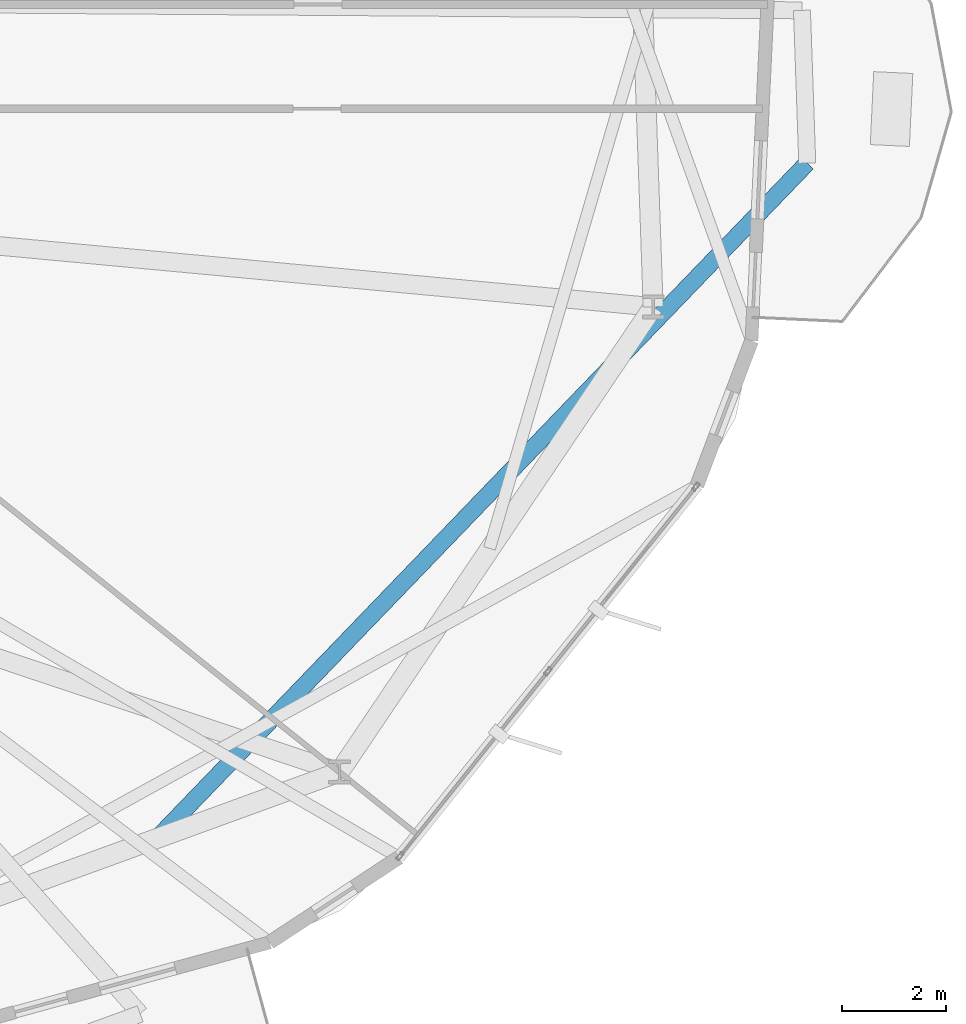
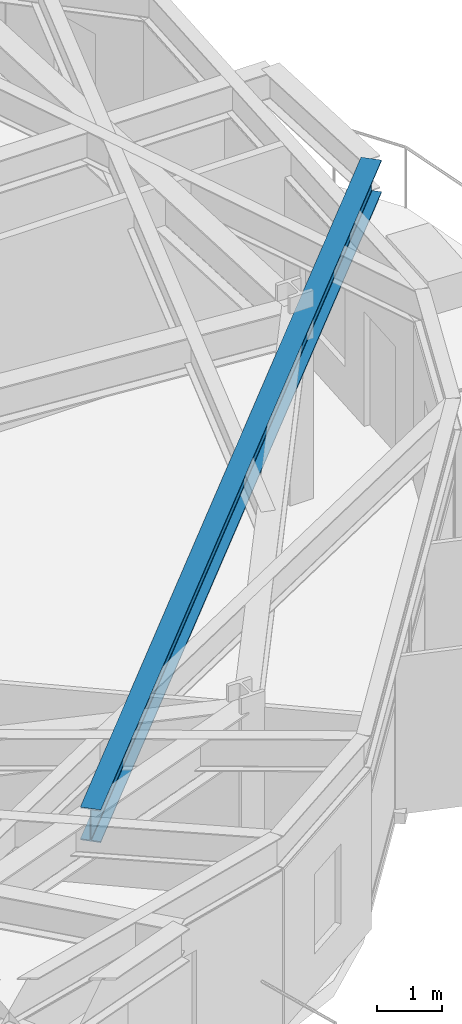
# One storey, part 9 of 25: 1 beam.
"""IFC4 building model written with IfcOpenShell, lengths in metres."""

from ifc_helpers import new_model, si_unit, direction, frame, origin, origin_2d, place, context, subcontext, project, spatial, i_section, extrude, material, material_profile, profile_set, type_object, element, save


model = new_model("IFC4")

# Units and contexts
model_context = context("Model", 3, precision=1e-05, world=origin(), true_north=direction((0.0, 1.0)))
body_context = subcontext(model_context, "Body", "Model", "MODEL_VIEW")
ifc_project = project(units=[si_unit("LENGTHUNIT", "METRE"), si_unit("AREAUNIT", "SQUARE_METRE"), si_unit("VOLUMEUNIT", "CUBIC_METRE"), si_unit("PLANEANGLEUNIT", "RADIAN"), si_unit("MASSUNIT", "GRAM", prefix="KILO")], contexts=[model_context])

# Site, building, storey
site_placement = place(None, origin())
site = spatial("IfcSite", under=ifc_project, at=site_placement, CompositionType="ELEMENT")
building_placement = place(site_placement, origin())
building = spatial("IfcBuilding", under=site, at=building_placement, Name="Soratama Intermodal Tower", CompositionType="ELEMENT")
storey_placement = place(building_placement, frame((0.0, 0.0, 87.39990234375)))
storey = spatial("IfcBuildingStorey", under=building, at=storey_placement, Name="L20", CompositionType="ELEMENT", Elevation=87.39990234375)

# Beam
ifc_material = material(Name="Structural steel ASTM A992 Grade 50", Category="steel")
ifc_material_profile = material_profile(ifc_material, i_section(OverallWidth=0.324951171875, OverallDepth=0.615966796875, WebThickness=0.013916015625, FlangeThickness=0.021484375, FilletRadius=0.013916015625, at=origin_2d()), Name="W24X117")
ifc_profile_set = profile_set([ifc_material_profile], Name="Structural steel ASTM A992 Grade 50")
beam_type = type_object("IfcBeamType", Name="BM-CANT-W24X117", PredefinedType="BEAM", material=ifc_profile_set)
beam_placement = place(storey_placement, frame((52.242919921875, 10.044921875, 3.2919921875), z_axis=(0.693595108609, 0.720365063918, 0.0), x_axis=(-0.720365063918, 0.693595108609, 0.0)))
element("IfcBeam", 1, at=beam_placement, inside=storey, type_object=beam_type, Name="BM-L20-CANT-1-1", PredefinedType="BEAM", context=body_context, shape_type="SweptSolid", body=[
    extrude(i_section(OverallWidth=0.324951171875, OverallDepth=0.615966796875, WebThickness=0.013916015625, FlangeThickness=0.021484375, FilletRadius=0.013916015625, at=origin_2d()), origin(), (0.0, 0.0, 1.0), 17.929931640625),
])

save(model, "model.ifc")
